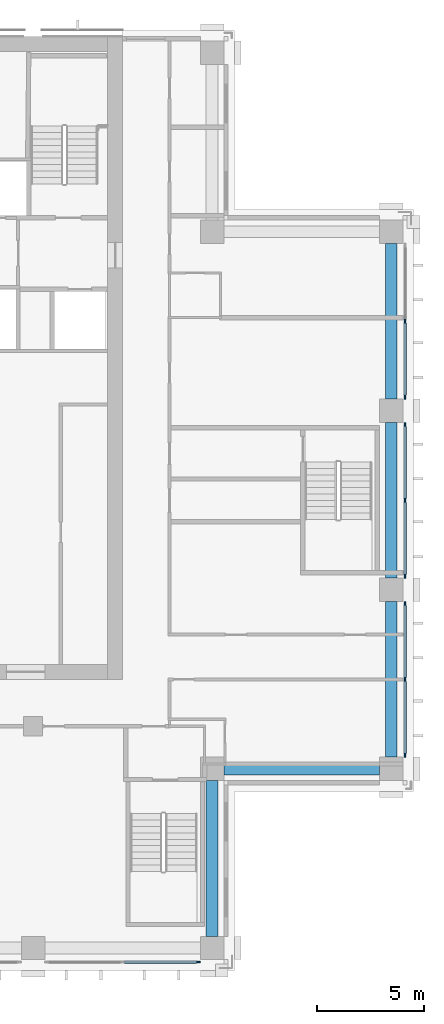
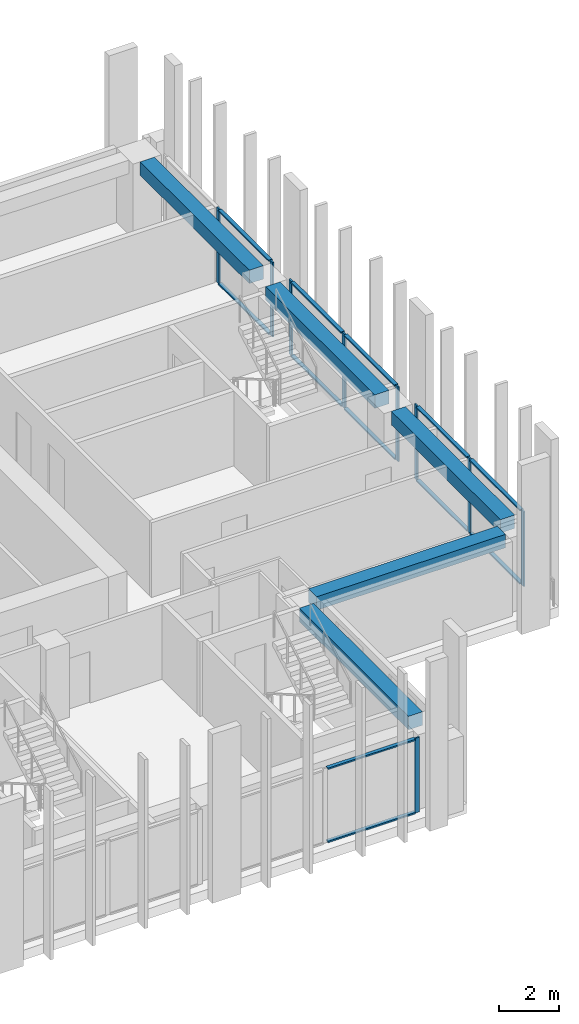
# One storey, part 5 of 17: 21 members, 5 beams, 4 elements without a shape of their own.
"""IFC4 building model written with IfcOpenShell, lengths in metres."""

from ifc_helpers import new_model, si_unit, direction, frame, origin, origin_2d, place, context, subcontext, project, spatial, rectangle, extrude, material, material_profile, profile_set, type_object, element, aggregate, save


model = new_model("IFC4")

# Units and contexts
model_context = context("Model", 3, precision=1e-05, world=origin(), true_north=direction((0.0, 1.0)))
body_context = subcontext(model_context, "Body", "Model", "MODEL_VIEW")
ifc_project = project(units=[si_unit("LENGTHUNIT", "METRE"), si_unit("AREAUNIT", "SQUARE_METRE"), si_unit("VOLUMEUNIT", "CUBIC_METRE"), si_unit("PLANEANGLEUNIT", "RADIAN"), si_unit("MASSUNIT", "GRAM", prefix="KILO")], contexts=[model_context])

# Site, building, storey
site_placement = place(None, origin())
site = spatial("IfcSite", under=ifc_project, at=site_placement, CompositionType="ELEMENT")
building_placement = place(site_placement, origin())
building = spatial("IfcBuilding", under=site, at=building_placement, Name="Vermilion Ogive Tower", CompositionType="ELEMENT")
storey_placement = place(building_placement, frame((0.0, 0.0, 157.25)))
storey = spatial("IfcBuildingStorey", under=building, at=storey_placement, Name="L40", CompositionType="ELEMENT", Elevation=157.25)

# Curtain wall, member
ifc_material_1 = material(Name="Low-iron laminated glazing in aluminium frame", Category="aluminium")
curtain_wall_type = type_object("IfcCurtainWallType", Name="Curtain wall CW7", PredefinedType="NOTDEFINED", material=ifc_material_1)
curtain_wall_1_placement = place(storey_placement, origin())
curtain_wall_1 = element("IfcCurtainWall", 1, at=curtain_wall_1_placement, inside=storey, type_object=curtain_wall_type, Name="Glazed skin S3", PredefinedType="NOTDEFINED")
ifc_material_2 = material(Name="Aluminium mullion", Category="aluminium")
ifc_material_profile_1 = material_profile(ifc_material_2, rectangle(XDim=0.06005859375, YDim=0.179931640625, at=origin_2d()), Name="AL 60x180")
ifc_profile_set_1 = profile_set([ifc_material_profile_1], Name="Aluminium mullion")
member_type_1 = type_object("IfcMemberType", Name="CW7 mullion 60x180", PredefinedType="MULLION", material=ifc_profile_set_1)
member_1_placement = place(storey_placement, frame((11.9599609375, -21.64990234375, 0.0), z_axis=(0.0, 0.0, 1.0), x_axis=(0.0, 1.0, 0.0)))
member_1 = element("IfcMember", 2, at=member_1_placement, type_object=member_type_1, Name="CW7-S3 mullion 3", PredefinedType="MULLION", context=body_context, shape_type="SweptSolid", body=[
    extrude(rectangle(XDim=0.06005859375, YDim=0.179931640625, at=origin_2d()), origin(), (0.0, 0.0, 1.0), 3.050048828125),
])

# Curtain wall, members
curtain_wall_2_placement = place(storey_placement, origin())
curtain_wall_2 = element("IfcCurtainWall", 3, at=curtain_wall_2_placement, inside=storey, type_object=curtain_wall_type, Name="Glazed skin E1", PredefinedType="NOTDEFINED")
member_2_placement = place(storey_placement, frame((21.64990234375, -11.9599609375, 0.0), z_axis=(0.0, 0.0, 1.0), x_axis=(-1.0, 0.0, 0.0)))
member_2 = element("IfcMember", 4, at=member_2_placement, type_object=member_type_1, Name="CW7-E1 mullion 1", PredefinedType="MULLION", context=body_context, shape_type="SweptSolid", body=[
    extrude(rectangle(XDim=0.06005859375, YDim=0.179931640625, at=origin_2d()), origin(), (0.0, 0.0, 1.0), 3.050048828125),
])
member_3_placement = place(storey_placement, frame((21.64990234375, -8.39990234375, 0.0), z_axis=(0.0, 0.0, 1.0), x_axis=(-1.0, 0.0, 0.0)))
member_3 = element("IfcMember", 5, at=member_3_placement, type_object=member_type_1, Name="CW7-E1 mullion 2", PredefinedType="MULLION", context=body_context, shape_type="SweptSolid", body=[
    extrude(rectangle(XDim=0.06005859375, YDim=0.179931640625, at=origin_2d()), origin(), (0.0, 0.0, 1.0), 3.050048828125),
])
member_4_placement = place(storey_placement, frame((21.64990234375, -4.840087890625, 0.0), z_axis=(0.0, 0.0, 1.0), x_axis=(-1.0, 0.0, 0.0)))
member_4 = element("IfcMember", 6, at=member_4_placement, type_object=member_type_1, Name="CW7-E1 mullion 3", PredefinedType="MULLION", context=body_context, shape_type="SweptSolid", body=[
    extrude(rectangle(XDim=0.06005859375, YDim=0.179931640625, at=origin_2d()), origin(), (0.0, 0.0, 1.0), 3.050048828125),
])

curtain_wall_3_placement = place(storey_placement, origin())
curtain_wall_3 = element("IfcCurtainWall", 7, at=curtain_wall_3_placement, inside=storey, type_object=curtain_wall_type, Name="Glazed skin E2", PredefinedType="NOTDEFINED")
member_5_placement = place(storey_placement, frame((21.64990234375, -3.56005859375, 0.0), z_axis=(0.0, 0.0, 1.0), x_axis=(-1.0, 0.0, 0.0)))
member_5 = element("IfcMember", 8, at=member_5_placement, type_object=member_type_1, Name="CW7-E2 mullion 1", PredefinedType="MULLION", context=body_context, shape_type="SweptSolid", body=[
    extrude(rectangle(XDim=0.06005859375, YDim=0.179931640625, at=origin_2d()), origin(), (0.0, 0.0, 1.0), 3.050048828125),
])
member_6_placement = place(storey_placement, frame((21.64990234375, 0.0, 0.0), z_axis=(0.0, 0.0, 1.0), x_axis=(-1.0, 0.0, 0.0)))
member_6 = element("IfcMember", 9, at=member_6_placement, type_object=member_type_1, Name="CW7-E2 mullion 2", PredefinedType="MULLION", context=body_context, shape_type="SweptSolid", body=[
    extrude(rectangle(XDim=0.06005859375, YDim=0.179931640625, at=origin_2d()), origin(), (0.0, 0.0, 1.0), 3.050048828125),
])
member_7_placement = place(storey_placement, frame((21.64990234375, 3.56005859375, 0.0), z_axis=(0.0, 0.0, 1.0), x_axis=(-1.0, 0.0, 0.0)))
member_7 = element("IfcMember", 10, at=member_7_placement, type_object=member_type_1, Name="CW7-E2 mullion 3", PredefinedType="MULLION", context=body_context, shape_type="SweptSolid", body=[
    extrude(rectangle(XDim=0.06005859375, YDim=0.179931640625, at=origin_2d()), origin(), (0.0, 0.0, 1.0), 3.050048828125),
])

curtain_wall_4_placement = place(storey_placement, origin())
curtain_wall_4 = element("IfcCurtainWall", 11, at=curtain_wall_4_placement, inside=storey, type_object=curtain_wall_type, Name="Glazed skin E3", PredefinedType="NOTDEFINED")
member_8_placement = place(storey_placement, frame((21.64990234375, 4.840087890625, 0.0), z_axis=(0.0, 0.0, 1.0), x_axis=(-1.0, 0.0, 0.0)))
member_8 = element("IfcMember", 12, at=member_8_placement, type_object=member_type_1, Name="CW7-E3 mullion 1", PredefinedType="MULLION", context=body_context, shape_type="SweptSolid", body=[
    extrude(rectangle(XDim=0.06005859375, YDim=0.179931640625, at=origin_2d()), origin(), (0.0, 0.0, 1.0), 3.050048828125),
])
member_9_placement = place(storey_placement, frame((21.64990234375, 8.39990234375, 0.0), z_axis=(0.0, 0.0, 1.0), x_axis=(-1.0, 0.0, 0.0)))
member_9 = element("IfcMember", 13, at=member_9_placement, type_object=member_type_1, Name="CW7-E3 mullion 2", PredefinedType="MULLION", context=body_context, shape_type="SweptSolid", body=[
    extrude(rectangle(XDim=0.06005859375, YDim=0.179931640625, at=origin_2d()), origin(), (0.0, 0.0, 1.0), 3.050048828125),
])

# Member
ifc_material_3 = material(Name="Aluminium transom", Category="aluminium")
ifc_material_profile_2 = material_profile(ifc_material_3, rectangle(XDim=0.139892578125, YDim=0.06005859375, at=origin_2d()), Name="AL 60x140")
ifc_profile_set_2 = profile_set([ifc_material_profile_2], Name="Aluminium transom")
member_type_2 = type_object("IfcMemberType", Name="CW7 transom 60x140", PredefinedType="USERDEFINED", material=ifc_profile_set_2)
member_10_placement = place(storey_placement, frame((8.489990234375, -21.64990234375, 0.030029296875), z_axis=(1.0, 0.0, 0.0), x_axis=(0.0, 1.0, 0.0)))
member_10 = element("IfcMember", 14, at=member_10_placement, type_object=member_type_2, Name="CW7-S3 transom 2.1", ObjectType="TRANSOM", PredefinedType="USERDEFINED", context=body_context, shape_type="SweptSolid", body=[
    extrude(rectangle(XDim=0.139892578125, YDim=0.06005859375, at=origin_2d()), origin(), (0.0, 0.0, 1.0), 3.380126953125),
])

member_11_placement = place(storey_placement, frame((8.489990234375, -21.64990234375, 3.02001953125), z_axis=(1.0, 0.0, 0.0), x_axis=(0.0, 1.0, 0.0)))
member_11 = element("IfcMember", 15, at=member_11_placement, type_object=member_type_2, Name="CW7-S3 transom 2.2", ObjectType="TRANSOM", PredefinedType="USERDEFINED", context=body_context, shape_type="SweptSolid", body=[
    extrude(rectangle(XDim=0.139892578125, YDim=0.06005859375, at=origin_2d()), origin(), (0.0, 0.0, 1.0), 3.380126953125),
])

aggregate(curtain_wall_1, [member_1, member_10, member_11])

member_12_placement = place(storey_placement, frame((21.64990234375, -11.8701171875, 0.030029296875), z_axis=(0.0, 1.0, 0.0), x_axis=(-1.0, 0.0, 0.0)))
member_12 = element("IfcMember", 16, at=member_12_placement, type_object=member_type_2, Name="CW7-E1 transom 1.1", ObjectType="TRANSOM", PredefinedType="USERDEFINED", context=body_context, shape_type="SweptSolid", body=[
    extrude(rectangle(XDim=0.139892578125, YDim=0.06005859375, at=origin_2d()), origin(), (0.0, 0.0, 1.0), 3.380126953125),
])

member_13_placement = place(storey_placement, frame((21.64990234375, -11.8701171875, 3.02001953125), z_axis=(0.0, 1.0, 0.0), x_axis=(-1.0, 0.0, 0.0)))
member_13 = element("IfcMember", 17, at=member_13_placement, type_object=member_type_2, Name="CW7-E1 transom 1.2", ObjectType="TRANSOM", PredefinedType="USERDEFINED", context=body_context, shape_type="SweptSolid", body=[
    extrude(rectangle(XDim=0.139892578125, YDim=0.06005859375, at=origin_2d()), origin(), (0.0, 0.0, 1.0), 3.380126953125),
])

member_14_placement = place(storey_placement, frame((21.64990234375, -8.31005859375, 0.030029296875), z_axis=(0.0, 1.0, 0.0), x_axis=(-1.0, 0.0, 0.0)))
member_14 = element("IfcMember", 18, at=member_14_placement, type_object=member_type_2, Name="CW7-E1 transom 2.1", ObjectType="TRANSOM", PredefinedType="USERDEFINED", context=body_context, shape_type="SweptSolid", body=[
    extrude(rectangle(XDim=0.139892578125, YDim=0.06005859375, at=origin_2d()), origin(), (0.0, 0.0, 1.0), 3.380126953125),
])

member_15_placement = place(storey_placement, frame((21.64990234375, -8.31005859375, 3.02001953125), z_axis=(0.0, 1.0, 0.0), x_axis=(-1.0, 0.0, 0.0)))
member_15 = element("IfcMember", 19, at=member_15_placement, type_object=member_type_2, Name="CW7-E1 transom 2.2", ObjectType="TRANSOM", PredefinedType="USERDEFINED", context=body_context, shape_type="SweptSolid", body=[
    extrude(rectangle(XDim=0.139892578125, YDim=0.06005859375, at=origin_2d()), origin(), (0.0, 0.0, 1.0), 3.380126953125),
])

aggregate(curtain_wall_2, [member_2, member_3, member_4, member_12, member_13, member_14, member_15])

member_16_placement = place(storey_placement, frame((21.64990234375, -3.469970703125, 0.030029296875), z_axis=(0.0, 1.0, 0.0), x_axis=(-1.0, 0.0, 0.0)))
member_16 = element("IfcMember", 20, at=member_16_placement, type_object=member_type_2, Name="CW7-E2 transom 1.1", ObjectType="TRANSOM", PredefinedType="USERDEFINED", context=body_context, shape_type="SweptSolid", body=[
    extrude(rectangle(XDim=0.139892578125, YDim=0.06005859375, at=origin_2d()), origin(), (0.0, 0.0, 1.0), 3.3798828125),
])

member_17_placement = place(storey_placement, frame((21.64990234375, -3.469970703125, 3.02001953125), z_axis=(0.0, 1.0, 0.0), x_axis=(-1.0, 0.0, 0.0)))
member_17 = element("IfcMember", 21, at=member_17_placement, type_object=member_type_2, Name="CW7-E2 transom 1.2", ObjectType="TRANSOM", PredefinedType="USERDEFINED", context=body_context, shape_type="SweptSolid", body=[
    extrude(rectangle(XDim=0.139892578125, YDim=0.06005859375, at=origin_2d()), origin(), (0.0, 0.0, 1.0), 3.3798828125),
])

member_18_placement = place(storey_placement, frame((21.64990234375, 0.090087890625, 0.030029296875), z_axis=(0.0, 1.0, 0.0), x_axis=(-1.0, 0.0, 0.0)))
member_18 = element("IfcMember", 22, at=member_18_placement, type_object=member_type_2, Name="CW7-E2 transom 2.1", ObjectType="TRANSOM", PredefinedType="USERDEFINED", context=body_context, shape_type="SweptSolid", body=[
    extrude(rectangle(XDim=0.139892578125, YDim=0.06005859375, at=origin_2d()), origin(), (0.0, 0.0, 1.0), 3.3798828125),
])

member_19_placement = place(storey_placement, frame((21.64990234375, 0.090087890625, 3.02001953125), z_axis=(0.0, 1.0, 0.0), x_axis=(-1.0, 0.0, 0.0)))
member_19 = element("IfcMember", 23, at=member_19_placement, type_object=member_type_2, Name="CW7-E2 transom 2.2", ObjectType="TRANSOM", PredefinedType="USERDEFINED", context=body_context, shape_type="SweptSolid", body=[
    extrude(rectangle(XDim=0.139892578125, YDim=0.06005859375, at=origin_2d()), origin(), (0.0, 0.0, 1.0), 3.3798828125),
])

aggregate(curtain_wall_3, [member_5, member_6, member_7, member_16, member_17, member_18, member_19])

member_20_placement = place(storey_placement, frame((21.64990234375, 4.929931640625, 0.030029296875), z_axis=(0.0, 1.0, 0.0), x_axis=(-1.0, 0.0, 0.0)))
member_20 = element("IfcMember", 24, at=member_20_placement, type_object=member_type_2, Name="CW7-E3 transom 1.1", ObjectType="TRANSOM", PredefinedType="USERDEFINED", context=body_context, shape_type="SweptSolid", body=[
    extrude(rectangle(XDim=0.139892578125, YDim=0.06005859375, at=origin_2d()), origin(), (0.0, 0.0, 1.0), 3.380126953125),
])

member_21_placement = place(storey_placement, frame((21.64990234375, 4.929931640625, 3.02001953125), z_axis=(0.0, 1.0, 0.0), x_axis=(-1.0, 0.0, 0.0)))
member_21 = element("IfcMember", 25, at=member_21_placement, type_object=member_type_2, Name="CW7-E3 transom 1.2", ObjectType="TRANSOM", PredefinedType="USERDEFINED", context=body_context, shape_type="SweptSolid", body=[
    extrude(rectangle(XDim=0.139892578125, YDim=0.06005859375, at=origin_2d()), origin(), (0.0, 0.0, 1.0), 3.380126953125),
])

aggregate(curtain_wall_4, [member_8, member_9, member_20, member_21])

# Beams
ifc_material_4 = material(Name="Concrete B45", Category="concrete")
ifc_material_profile_3 = material_profile(ifc_material_4, rectangle(XDim=0.550048828125, YDim=0.550048828125, at=origin_2d()), Name="550 x 550")
ifc_profile_set_3 = profile_set([ifc_material_profile_3], Name="Concrete B45")
beam_type = type_object("IfcBeamType", Name="Edge beam 550 x 550 B45", PredefinedType="BEAM", material=ifc_profile_set_3)
for number, where, z_axis, x_axis, name in (
    (26, (12.60009765625, -20.449951171875, 2.77490234375), (0.0, 1.0, 0.0), (-1.0, 0.0, 0.0), "L40-EB-4"),
    (27, (13.14990234375, -12.60009765625, 2.77490234375), (1.0, 0.0, 0.0), (0.0, 1.0, 0.0), "L40-EB-5"),
    (28, (21.0, -12.050048828125, 2.77490234375), (0.0, 1.0, 0.0), (-1.0, 0.0, 0.0), "L40-EB-6"),
):
    element("IfcBeam", number, at=place(storey_placement, frame(where, z_axis=z_axis, x_axis=x_axis)), inside=storey, type_object=beam_type, Name=name, PredefinedType="BEAM", context=body_context, shape_type="SweptSolid", body=[
        extrude(rectangle(XDim=0.550048828125, YDim=0.550048828125, at=origin_2d()), origin(), (0.0, 0.0, 1.0), 7.300048828125),
    ])
beam_1_placement = place(storey_placement, frame((21.0, -3.64990234375, 2.77490234375), z_axis=(0.0, 1.0, 0.0), x_axis=(-1.0, 0.0, 0.0)))
element("IfcBeam", 29, at=beam_1_placement, inside=storey, type_object=beam_type, Name="L40-EB-7", PredefinedType="BEAM", context=body_context, shape_type="SweptSolid", body=[
    extrude(rectangle(XDim=0.550048828125, YDim=0.550048828125, at=origin_2d()), origin(), (0.0, 0.0, 1.0), 7.2998046875),
])
beam_2_placement = place(storey_placement, frame((21.0, 4.75, 2.77490234375), z_axis=(0.0, 1.0, 0.0), x_axis=(-1.0, 0.0, 0.0)))
element("IfcBeam", 30, at=beam_2_placement, inside=storey, type_object=beam_type, Name="L40-EB-8", PredefinedType="BEAM", context=body_context, shape_type="SweptSolid", body=[
    extrude(rectangle(XDim=0.550048828125, YDim=0.550048828125, at=origin_2d()), origin(), (0.0, 0.0, 1.0), 7.300048828125),
])

save(model, "model.ifc")
